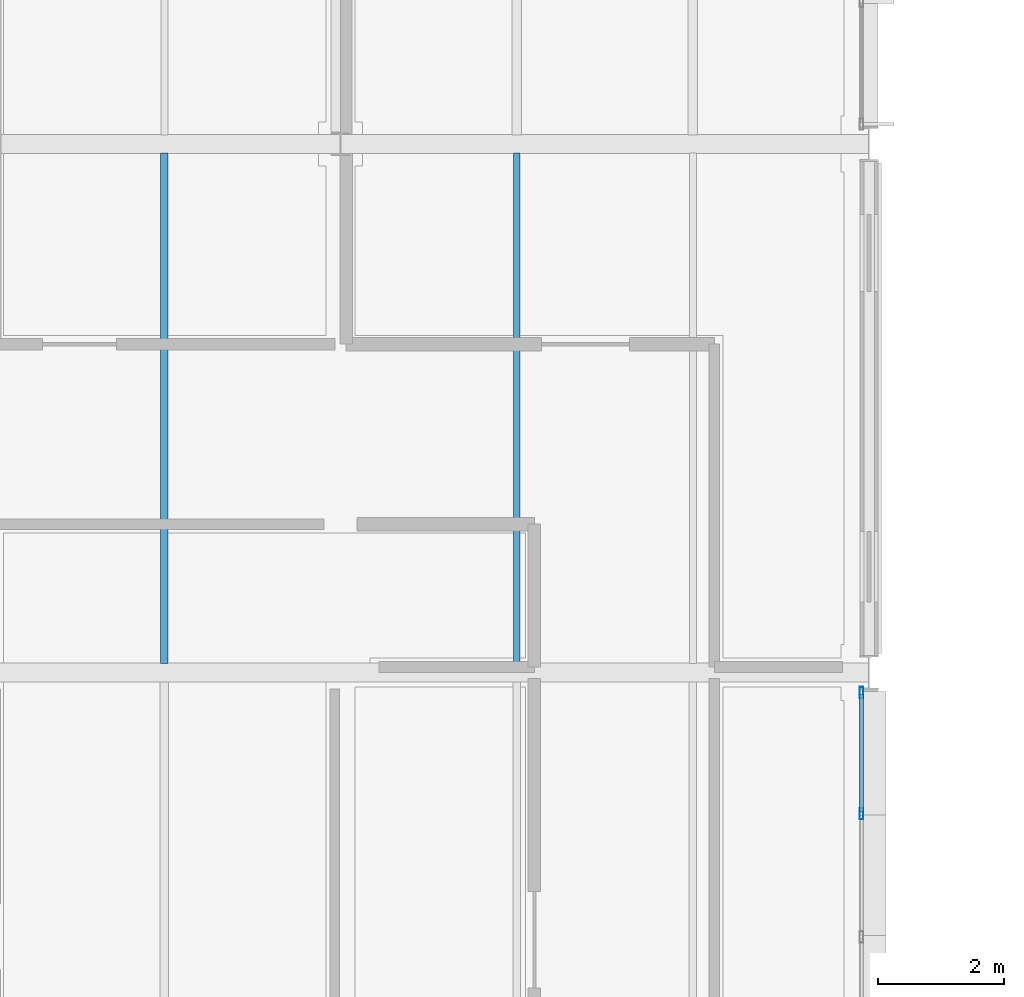
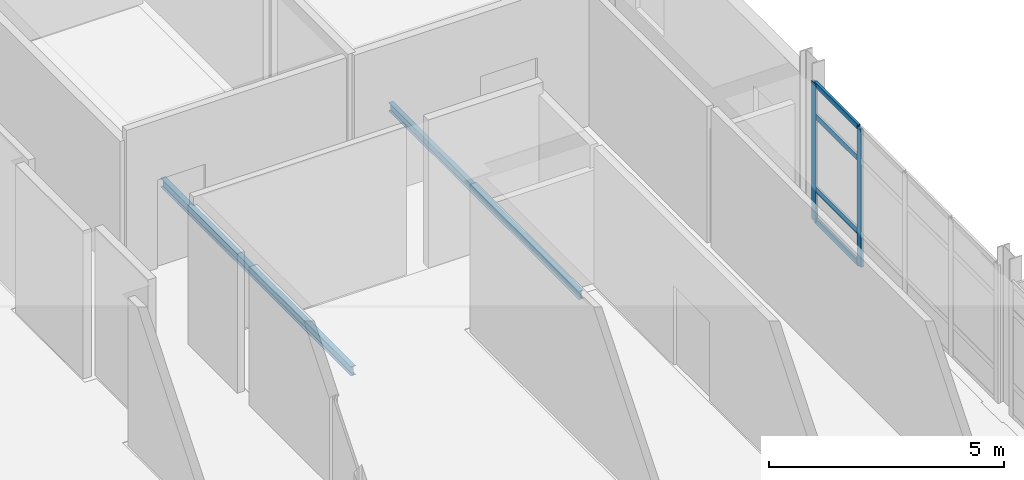
# One storey, part 59 of 131: 6 members, 2 beams, 1 element without a shape of its own.
"""IFC4 building model written with IfcOpenShell, lengths in metres."""

from ifc_helpers import new_model, si_unit, direction, frame, origin, origin_2d, place, context, subcontext, project, spatial, hollow_rectangle, i_section, extrude, material, material_profile, profile_set, type_object, element, aggregate, save


model = new_model("IFC4")

# Units and contexts
model_context = context("Model", 3, precision=1e-05, world=origin(), true_north=direction((0.0, 1.0)))
body_context = subcontext(model_context, "Body", "Model", "MODEL_VIEW")
ifc_project = project(units=[si_unit("LENGTHUNIT", "METRE"), si_unit("AREAUNIT", "SQUARE_METRE"), si_unit("VOLUMEUNIT", "CUBIC_METRE"), si_unit("PLANEANGLEUNIT", "RADIAN"), si_unit("MASSUNIT", "GRAM", prefix="KILO")], contexts=[model_context])

# Site, building, storey
site_placement = place(None, origin())
site = spatial("IfcSite", under=ifc_project, at=site_placement, CompositionType="ELEMENT")
building_placement = place(site_placement, origin())
building = spatial("IfcBuilding", under=site, at=building_placement, Name="Mersafa Astral City Hall", CompositionType="ELEMENT")
storey_placement = place(building_placement, frame((0.0, 0.0, 13.949951171875)))
storey = spatial("IfcBuildingStorey", under=building, at=storey_placement, Name="L03", CompositionType="ELEMENT", Elevation=13.949951171875)

# Curtain wall, members
ifc_material_1 = material(Name="Anodised bronze aluminium framing", Category="aluminium")
curtain_wall_type = type_object("IfcCurtainWallType", Name="ENV-CW-6", PredefinedType="USERDEFINED", material=ifc_material_1)
curtain_wall_placement = place(storey_placement, origin())
curtain_wall = element("IfcCurtainWall", 1, at=curtain_wall_placement, inside=storey, type_object=curtain_wall_type, Name="L03 Unitised solar curtain wall 155", ObjectType="UNITISED CURTAIN WALL", PredefinedType="USERDEFINED")
ifc_material_profile_1 = material_profile(ifc_material_1, hollow_rectangle(XDim=0.06005859375, YDim=0.179931640625, WallThickness=0.00390625, at=origin_2d()), Name="RHS 60x180x4")
ifc_profile_set_1 = profile_set([ifc_material_profile_1], Name="Anodised bronze aluminium framing")
member_type_1 = type_object("IfcMemberType", Name="ENV-CW-MUL-1", PredefinedType="MULLION", material=ifc_profile_set_1)
member_1_placement = place(storey_placement, frame((117.47998046875, 81.756591796875, -0.001953125), z_axis=(0.0, 0.0, 1.0), x_axis=(-1.0, 0.0, 0.0)))
member_1 = element("IfcMember", 2, at=member_1_placement, type_object=member_type_1, Name="CW-6 mullion 4", PredefinedType="MULLION", context=body_context, shape_type="SweptSolid", body=[
    extrude(hollow_rectangle(XDim=0.06005859375, YDim=0.179931640625, WallThickness=0.00390625, at=origin_2d()), origin(), (0.0, 0.0, 1.0), 3.593994140625),
])
member_2_placement = place(storey_placement, frame((117.47998046875, 83.68310546875, -0.001953125), z_axis=(0.0, 0.0, 1.0), x_axis=(-1.0, 0.0, 0.0)))
member_2 = element("IfcMember", 3, at=member_2_placement, type_object=member_type_1, Name="CW-6 mullion 5", PredefinedType="MULLION", context=body_context, shape_type="SweptSolid", body=[
    extrude(hollow_rectangle(XDim=0.06005859375, YDim=0.179931640625, WallThickness=0.00390625, at=origin_2d()), origin(), (0.0, 0.0, 1.0), 3.593994140625),
])
ifc_material_profile_2 = material_profile(ifc_material_1, hollow_rectangle(XDim=0.06005859375, YDim=0.139892578125, WallThickness=0.00390625, at=origin_2d()), Name="RHS 60x140x4")
ifc_profile_set_2 = profile_set([ifc_material_profile_2], Name="Anodised bronze aluminium framing")
member_type_2 = type_object("IfcMemberType", Name="ENV-CW-TRN-1", PredefinedType="USERDEFINED", material=ifc_profile_set_2)
member_3_placement = place(storey_placement, frame((117.47998046875, 81.78662109375, 0.028076171875), z_axis=(0.0, 1.0, 0.0), x_axis=(-1.0, 0.0, 0.0)))
member_3 = element("IfcMember", 4, at=member_3_placement, type_object=member_type_2, Name="CW-6 transom 4.1", ObjectType="TRANSOM", PredefinedType="USERDEFINED", context=body_context, shape_type="SweptSolid", body=[
    extrude(hollow_rectangle(XDim=0.06005859375, YDim=0.139892578125, WallThickness=0.00390625, at=origin_2d()), origin(), (0.0, 0.0, 1.0), 1.866455078125),
])
member_4_placement = place(storey_placement, frame((117.47998046875, 81.78662109375, 0.85009765625), z_axis=(0.0, 1.0, 0.0), x_axis=(-1.0, 0.0, 0.0)))
member_4 = element("IfcMember", 5, at=member_4_placement, type_object=member_type_2, Name="CW-6 transom 4.2", ObjectType="TRANSOM", PredefinedType="USERDEFINED", context=body_context, shape_type="SweptSolid", body=[
    extrude(hollow_rectangle(XDim=0.06005859375, YDim=0.139892578125, WallThickness=0.00390625, at=origin_2d()), origin(), (0.0, 0.0, 1.0), 1.866455078125),
])
member_5_placement = place(storey_placement, frame((117.47998046875, 81.78662109375, 2.75), z_axis=(0.0, 1.0, 0.0), x_axis=(-1.0, 0.0, 0.0)))
member_5 = element("IfcMember", 6, at=member_5_placement, type_object=member_type_2, Name="CW-6 transom 4.3", ObjectType="TRANSOM", PredefinedType="USERDEFINED", context=body_context, shape_type="SweptSolid", body=[
    extrude(hollow_rectangle(XDim=0.06005859375, YDim=0.139892578125, WallThickness=0.00390625, at=origin_2d()), origin(), (0.0, 0.0, 1.0), 1.866455078125),
])
member_6_placement = place(storey_placement, frame((117.47998046875, 81.78662109375, 3.56201171875), z_axis=(0.0, 1.0, 0.0), x_axis=(-1.0, 0.0, 0.0)))
member_6 = element("IfcMember", 7, at=member_6_placement, type_object=member_type_2, Name="CW-6 transom 4.4", ObjectType="TRANSOM", PredefinedType="USERDEFINED", context=body_context, shape_type="SweptSolid", body=[
    extrude(hollow_rectangle(XDim=0.06005859375, YDim=0.139892578125, WallThickness=0.00390625, at=origin_2d()), origin(), (0.0, 0.0, 1.0), 1.866455078125),
])
aggregate(curtain_wall, [member_1, member_2, member_3, member_4, member_5, member_6])

# Beams
ifc_material_2 = material(Name="Steel S355", Category="steel")
ifc_material_profile_3 = material_profile(ifc_material_2, i_section(OverallWidth=0.110107421875, OverallDepth=0.219970703125, WebThickness=0.005859375, FlangeThickness=0.00927734375, FilletRadius=0.011962890625, at=origin_2d()), Name="IPE 220")
ifc_profile_set_3 = profile_set([ifc_material_profile_3], Name="Steel S355")
beam_type_1 = type_object("IfcBeamType", Name="STR-BM-JOIST-IPE220", PredefinedType="JOIST", material=ifc_profile_set_3)
beam_1_placement = place(storey_placement, frame((112.0, 84.14501953125, -0.31005859375), z_axis=(0.0, 1.0, 0.0), x_axis=(-1.0, 0.0, 0.0)))
element("IfcBeam", 8, at=beam_1_placement, inside=storey, type_object=beam_type_1, Name="L03 Composite secondary floor joist 620", PredefinedType="JOIST", context=body_context, shape_type="SweptSolid", body=[
    extrude(i_section(OverallWidth=0.110107421875, OverallDepth=0.219970703125, WebThickness=0.005859375, FlangeThickness=0.00927734375, FilletRadius=0.011962890625, at=origin_2d()), origin(), (0.0, 0.0, 1.0), 8.10986328125),
])
ifc_material_profile_4 = material_profile(ifc_material_2, i_section(OverallWidth=0.1201171875, OverallDepth=0.239990234375, WebThickness=0.006103515625, FlangeThickness=0.009765625, FilletRadius=0.014892578125, at=origin_2d()), Name="IPE 240")
ifc_profile_set_4 = profile_set([ifc_material_profile_4], Name="Steel S355")
beam_type_2 = type_object("IfcBeamType", Name="STR-BM-JOIST-IPE240", PredefinedType="JOIST", material=ifc_profile_set_4)
beam_2_placement = place(storey_placement, frame((106.39990234375, 84.14501953125, -0.320068359375), z_axis=(0.0, 1.0, 0.0), x_axis=(-1.0, 0.0, 0.0)))
element("IfcBeam", 9, at=beam_2_placement, inside=storey, type_object=beam_type_2, Name="L03 Composite secondary floor joist 597", PredefinedType="JOIST", context=body_context, shape_type="SweptSolid", body=[
    extrude(i_section(OverallWidth=0.1201171875, OverallDepth=0.239990234375, WebThickness=0.006103515625, FlangeThickness=0.009765625, FilletRadius=0.014892578125, at=origin_2d()), origin(), (0.0, 0.0, 1.0), 8.10986328125),
])

save(model, "model.ifc")
